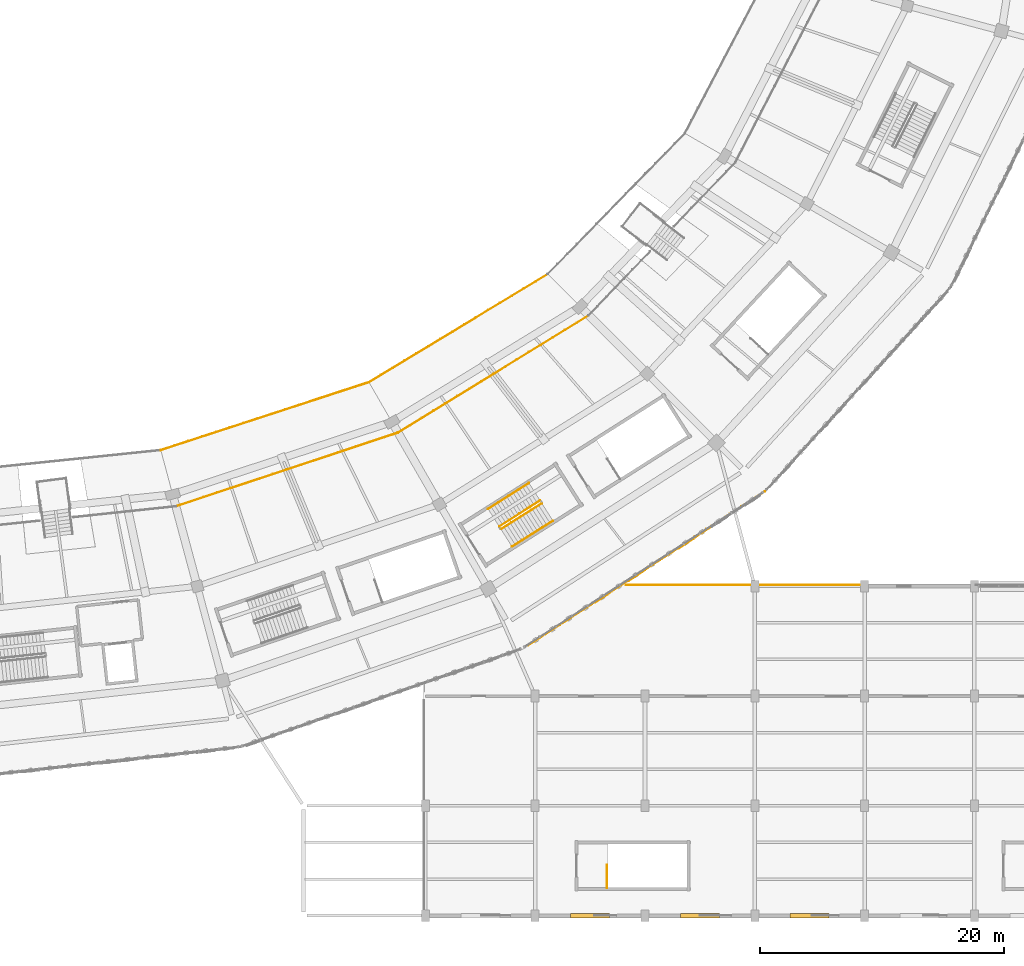
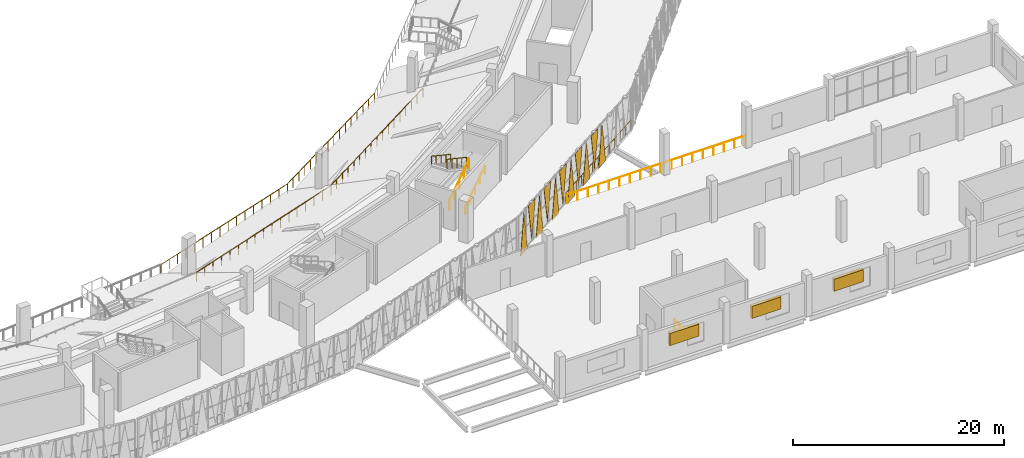
# One storey, part 128 of 152: 11 coverings, 11 railings, 3 shading devices.
"""IFC4 building model written with IfcOpenShell, lengths in metres."""

from ifc_helpers import new_model, si_unit, direction, frame, origin, origin_2d, place, context, subcontext, project, spatial, polyline, rectangle, circle, outline, extrude, material, layer, layer_set, type_object, element, save


model = new_model("IFC4")

# Units and contexts
model_context = context("Model", 3, precision=1e-05, world=origin(), true_north=direction((0.0, 1.0)))
body_context = subcontext(model_context, "Body", "Model", "MODEL_VIEW")
ifc_project = project(units=[si_unit("LENGTHUNIT", "METRE"), si_unit("AREAUNIT", "SQUARE_METRE"), si_unit("VOLUMEUNIT", "CUBIC_METRE"), si_unit("PLANEANGLEUNIT", "RADIAN"), si_unit("MASSUNIT", "GRAM", prefix="KILO")], contexts=[model_context])

# Site, building, storey
site_placement = place(None, origin())
site = spatial("IfcSite", under=ifc_project, at=site_placement, CompositionType="ELEMENT")
building_placement = place(site_placement, origin())
building = spatial("IfcBuilding", under=site, at=building_placement, Name="Zevraka Park Crest Stadium", CompositionType="ELEMENT")
storey_placement = place(building_placement, frame((0.0, 0.0, 15.0)))
storey = spatial("IfcBuildingStorey", under=building, at=storey_placement, Name="L03", CompositionType="ELEMENT", Elevation=15.0)

# Coverings
ifc_material_1 = material(Name="Architectural golden-bronze perforated aluminium", Category="aluminium")
ifc_layer_1 = layer(ifc_material_1, 0.034912109375)
ifc_layer_set_1 = layer_set([ifc_layer_1], Name="Architectural golden-bronze perforated aluminium")
covering_type = type_object("IfcCoveringType", Name="CLD01", PredefinedType="CLADDING", material=ifc_layer_set_1)
covering_1_placement = place(storey_placement, frame((160.445068359375, 22.139892578125, -0.260009765625), z_axis=(0.54371325202, -0.839271052215, 2.2174779e-05), x_axis=(0.839271052422, 0.543713252153, 0.0)))
element("IfcCovering", 1, at=covering_1_placement, inside=storey, type_object=covering_type, Name="Triangular Golden-Bronze Perforated Cladding L03-20-1", PredefinedType="CLADDING", context=body_context, shape_type="SweptSolid", body=[
    extrude(outline(polyline([(0.0, 0.0), (1.467861414015771, 1.6940658945086007e-21), (0.7339970782544862, 4.620117188635904), (0.0, 0.0)])), origin(), (0.0, 0.0, -1.0), 0.034912109375),
])
covering_2_placement = place(storey_placement, frame((163.04296875, 23.822021484375, 4.52001953125), z_axis=(0.543244377894, -0.839574618944, 7.1501841e-05), x_axis=(-0.83957462109, -0.543244379282, 0.0)))
element("IfcCovering", 2, at=covering_2_placement, inside=storey, type_object=covering_type, Name="Triangular Golden-Bronze Perforated Cladding L03-20-2", PredefinedType="CLADDING", context=body_context, shape_type="SweptSolid", body=[
    extrude(outline(polyline([(0.0, 0.0), (1.4673306729433993, 0.0), (0.7338642785051281, 4.30004883911703), (0.0, 0.0)])), origin(), (0.0, 0.0, -1.0), 0.034912109375),
])
covering_3_placement = place(storey_placement, frame((163.177001953125, 23.908935546875, -0.260009765625), z_axis=(0.54371325202, -0.839271052215, 2.2174779e-05), x_axis=(0.839271052422, 0.543713252153, 0.0)))
element("IfcCovering", 3, at=covering_3_placement, inside=storey, type_object=covering_type, Name="Triangular Golden-Bronze Perforated Cladding L03-20-3", PredefinedType="CLADDING", context=body_context, shape_type="SweptSolid", body=[
    extrude(outline(polyline([(0.0, 0.0), (1.467861414015771, 1.6940658945086007e-21), (0.7339970782544862, 4.620117188635904), (0.0, 0.0)])), origin(), (0.0, 0.0, -1.0), 0.034912109375),
])
covering_4_placement = place(storey_placement, frame((165.77490234375, 25.591064453125, 4.52001953125), z_axis=(0.543244375425, -0.839574615128, 0.000119169735), x_axis=(-0.83957462109, -0.543244379282, 0.0)))
element("IfcCovering", 4, at=covering_4_placement, inside=storey, type_object=covering_type, Name="Triangular Golden-Bronze Perforated Cladding L03-20-4", PredefinedType="CLADDING", context=body_context, shape_type="SweptSolid", body=[
    extrude(outline(polyline([(0.0, 0.0), (1.4673306729433993, 0.0), (0.7339969065274139, 4.300048858658413), (0.0, 0.0)])), origin(), (0.0, 0.0, -1.0), 0.034912109375),
])
covering_5_placement = place(storey_placement, frame((165.909912109375, 25.677978515625, -0.260009765625), z_axis=(-0.543941018688, 0.839123449754, 6.5286052e-05), x_axis=(0.839123451542, 0.543941019847, 0.0)))
element("IfcCovering", 5, at=covering_5_placement, inside=storey, type_object=covering_type, Name="Triangular Golden-Bronze Perforated Cladding L03-20-5", PredefinedType="CLADDING", context=body_context, shape_type="SweptSolid", body=[
    extrude(outline(polyline([(0.0, 0.0), (1.4672467675796603, -6.776263578034403e-21), (0.7338642809254232, -4.62011719734609), (0.0, 0.0)])), origin(), (0.0, 0.0, -1.0), 0.034912109375),
])
covering_6_placement = place(storey_placement, frame((168.508056640625, 27.360107421875, 4.52001953125), z_axis=(0.54363736266, -0.839320210873, 3.9259569e-05), x_axis=(-0.839320211519, -0.543637363078, 0.0)))
element("IfcCovering", 6, at=covering_6_placement, inside=storey, type_object=covering_type, Name="Triangular Golden-Bronze Perforated Cladding L03-20-6", PredefinedType="CLADDING", context=body_context, shape_type="SweptSolid", body=[
    extrude(outline(polyline([(0.0, 0.0), (1.4680663201763386, 3.3881317890172014e-21), (0.7339970659904593, 4.300048831438862), (0.0, 0.0)])), origin(), (0.0, 0.0, -1.0), 0.034912109375),
])
covering_7_placement = place(storey_placement, frame((168.64208984375, 27.447021484375, -0.260009765625), z_axis=(-0.54371325202, 0.839271052215, 2.2174779e-05), x_axis=(0.839271052422, 0.543713252153, 0.0)))
element("IfcCovering", 7, at=covering_7_placement, inside=storey, type_object=covering_type, Name="Triangular Golden-Bronze Perforated Cladding L03-20-7", PredefinedType="CLADDING", context=body_context, shape_type="SweptSolid", body=[
    extrude(outline(polyline([(0.0, 0.0), (1.467861414015771, 1.6940658945086007e-21), (0.7338643357612847, -4.620117188635904), (0.0, 0.0)])), origin(), (0.0, 0.0, -1.0), 0.034912109375),
])
covering_8_placement = place(storey_placement, frame((171.239990234375, 29.12890625, 4.52001953125), z_axis=(0.543596081623, -0.839346948552, 0.0), x_axis=(-0.839346948552, -0.543596081623, 0.0)))
element("IfcCovering", 8, at=covering_8_placement, inside=storey, type_object=covering_type, Name="Triangular Golden-Bronze Perforated Cladding L03-20-8", PredefinedType="CLADDING", context=body_context, shape_type="SweptSolid", body=[
    extrude(outline(polyline([(0.0, 0.0), (1.4677286858249659, 0.0), (0.7338643429124829, 4.300048828125), (0.0, 0.0)])), origin(), (0.0, 0.0, -1.0), 0.034912109375),
])
covering_9_placement = place(storey_placement, frame((171.3740234375, 29.216064453125, -0.260009765625), z_axis=(0.543596081623, -0.839346948552, 0.0), x_axis=(0.839346948552, 0.543596081623, 0.0)))
element("IfcCovering", 9, at=covering_9_placement, inside=storey, type_object=covering_type, Name="Triangular Golden-Bronze Perforated Cladding L03-20-9", PredefinedType="CLADDING", context=body_context, shape_type="SweptSolid", body=[
    extrude(outline(polyline([(0.0, 0.0), (1.4677286858249659, 0.0), (0.7338643429124829, 4.620117187499999), (0.0, 0.0)])), origin(), (0.0, 0.0, -1.0), 0.034912109375),
])
covering_10_placement = place(storey_placement, frame((173.971923828125, 30.89794921875, 4.52001953125), z_axis=(-0.543899793861, 0.839150171557, 6.1761176e-05), x_axis=(-0.839150173157, -0.543899794898, 0.0)))
element("IfcCovering", 10, at=covering_10_placement, inside=storey, type_object=covering_type, Name="Triangular Golden-Bronze Perforated Cladding L03-20-10", PredefinedType="CLADDING", context=body_context, shape_type="SweptSolid", body=[
    extrude(outline(polyline([(0.0, 0.0), (1.466909107125423, 0.0), (0.7338642948581983, -4.3000488363261455), (0.0, 0.0)])), origin(), (0.0, 0.0, -1.0), 0.034912109375),
])
covering_11_placement = place(storey_placement, frame((174.10693359375, 30.985107421875, -0.260009765625), z_axis=(0.543051202875, -0.839699577485, 0.000103092621), x_axis=(0.839699581947, 0.543051205761, 0.0)))
element("IfcCovering", 11, at=covering_11_placement, inside=storey, type_object=covering_type, Name="Triangular Golden-Bronze Perforated Cladding L03-20-11", PredefinedType="CLADDING", context=body_context, shape_type="SweptSolid", body=[
    extrude(outline(polyline([(0.0, 0.0), (1.4674030580295612, 0.0), (0.7338641883459691, 4.620117212051507), (0.0, 0.0)])), origin(), (0.0, 0.0, -1.0), 0.034912109375),
])

# Railings
ifc_material_2 = material(Name="Galvanised and bronze-finished steel balustrade", Category="steel")
railing_type_1 = type_object("IfcRailingType", Name="GR01", PredefinedType="GUARDRAIL", material=ifc_material_2)
railing_1_placement = place(storey_placement, frame((179.8359375, 34.778076171875, 0.0)))
element("IfcRailing", 12, at=railing_1_placement, inside=storey, type_object=railing_type_1, Name="Deck Edge Protection Guardrail GR01 L03-24", PredefinedType="GUARDRAIL", context=body_context, shape_type="SweptSolid", body=[
    extrude(circle(Radius=0.02392578125, at=origin_2d()), frame((0.0, 0.0, 1.076171875), z_axis=(-0.839416887497, -0.543488076213, 0.0), x_axis=(0.543488076213, -0.839416887497, 0.0)), (0.0, 0.0, 1.0), 13.678466796875),
    extrude(circle(Radius=0.02099609375, at=origin_2d()), origin(), (0.0, 0.0, 1.0), 1.052001953125),
    extrude(circle(Radius=0.02099609375, at=origin_2d()), frame((-0.956787109375, -0.61962890625, 0.0)), (0.0, 0.0, 1.0), 1.052001953125),
    extrude(circle(Radius=0.02099609375, at=origin_2d()), frame((-1.91357421875, -1.239013671875, 0.0)), (0.0, 0.0, 1.0), 1.052001953125),
    extrude(circle(Radius=0.02099609375, at=origin_2d()), frame((-2.87060546875, -1.8583984375, 0.0)), (0.0, 0.0, 1.0), 1.052001953125),
    extrude(circle(Radius=0.02099609375, at=origin_2d()), frame((-3.827392578125, -2.47802734375, 0.0)), (0.0, 0.0, 1.0), 1.052001953125),
    extrude(circle(Radius=0.02099609375, at=origin_2d()), frame((-4.7841796875, -3.09765625, 0.0)), (0.0, 0.0, 1.0), 1.052001953125),
    extrude(circle(Radius=0.02099609375, at=origin_2d()), frame((-5.740966796875, -3.717041015625, 0.0)), (0.0, 0.0, 1.0), 1.052001953125),
    extrude(circle(Radius=0.02099609375, at=origin_2d()), frame((-6.69775390625, -4.33642578125, 0.0)), (0.0, 0.0, 1.0), 1.052001953125),
    extrude(circle(Radius=0.02099609375, at=origin_2d()), frame((-7.654541015625, -4.9560546875, 0.0)), (0.0, 0.0, 1.0), 1.052001953125),
    extrude(circle(Radius=0.02099609375, at=origin_2d()), frame((-8.611328125, -5.57568359375, 0.0)), (0.0, 0.0, 1.0), 1.052001953125),
    extrude(circle(Radius=0.02099609375, at=origin_2d()), frame((-9.568359375, -6.195068359375, 0.0)), (0.0, 0.0, 1.0), 1.052001953125),
    extrude(circle(Radius=0.02099609375, at=origin_2d()), frame((-10.525146484375, -6.814453125, 0.0)), (0.0, 0.0, 1.0), 1.052001953125),
    extrude(circle(Radius=0.02099609375, at=origin_2d()), frame((-11.48193359375, -7.43408203125, 0.0)), (0.0, 0.0, 1.0), 1.052001953125),
])
railing_2_placement = place(storey_placement, frame((168.425048828125, 27.10498046875, 0.0)))
element("IfcRailing", 13, at=railing_2_placement, inside=storey, type_object=railing_type_1, Name="Deck Edge Protection Guardrail GR01 L03-25", PredefinedType="GUARDRAIL", context=body_context, shape_type="SweptSolid", body=[
    extrude(circle(Radius=0.02392578125, at=origin_2d()), frame((0.0, 0.0, 1.076171875), z_axis=(1.0, 0.0, 0.0), x_axis=(0.0, 1.0, 0.0)), (0.0, 0.0, 1.0), 19.458984375),
    extrude(circle(Radius=0.02099609375, at=origin_2d()), origin(), (0.0, 0.0, 1.0), 1.052001953125),
    extrude(circle(Radius=0.02099609375, at=origin_2d()), frame((1.14453125, 0.0, 0.0)), (0.0, 0.0, 1.0), 1.052001953125),
    extrude(circle(Radius=0.02099609375, at=origin_2d()), frame((2.289306640625, 0.0, 0.0)), (0.0, 0.0, 1.0), 1.052001953125),
    extrude(circle(Radius=0.02099609375, at=origin_2d()), frame((3.433837890625, 0.0, 0.0)), (0.0, 0.0, 1.0), 1.052001953125),
    extrude(circle(Radius=0.02099609375, at=origin_2d()), frame((4.57861328125, 0.0, 0.0)), (0.0, 0.0, 1.0), 1.052001953125),
    extrude(circle(Radius=0.02099609375, at=origin_2d()), frame((5.72314453125, 0.0, 0.0)), (0.0, 0.0, 1.0), 1.052001953125),
    extrude(circle(Radius=0.02099609375, at=origin_2d()), frame((6.867919921875, 0.0, 0.0)), (0.0, 0.0, 1.0), 1.052001953125),
    extrude(circle(Radius=0.02099609375, at=origin_2d()), frame((8.012451171875, 0.0, 0.0)), (0.0, 0.0, 1.0), 1.052001953125),
    extrude(circle(Radius=0.02099609375, at=origin_2d()), frame((9.1572265625, 0.0, 0.0)), (0.0, 0.0, 1.0), 1.052001953125),
    extrude(circle(Radius=0.02099609375, at=origin_2d()), frame((10.3017578125, 0.0, 0.0)), (0.0, 0.0, 1.0), 1.052001953125),
    extrude(circle(Radius=0.02099609375, at=origin_2d()), frame((11.446533203125, 0.0, 0.0)), (0.0, 0.0, 1.0), 1.052001953125),
    extrude(circle(Radius=0.02099609375, at=origin_2d()), frame((12.591064453125, 0.0, 0.0)), (0.0, 0.0, 1.0), 1.052001953125),
    extrude(circle(Radius=0.02099609375, at=origin_2d()), frame((13.73583984375, 0.0, 0.0)), (0.0, 0.0, 1.0), 1.052001953125),
    extrude(circle(Radius=0.02099609375, at=origin_2d()), frame((14.88037109375, 0.0, 0.0)), (0.0, 0.0, 1.0), 1.052001953125),
    extrude(circle(Radius=0.02099609375, at=origin_2d()), frame((16.025146484375, 0.0, 0.0)), (0.0, 0.0, 1.0), 1.052001953125),
    extrude(circle(Radius=0.02099609375, at=origin_2d()), frame((17.169677734375, 0.0, 0.0)), (0.0, 0.0, 1.0), 1.052001953125),
    extrude(circle(Radius=0.02099609375, at=origin_2d()), frame((18.314453125, 0.0, 0.0)), (0.0, 0.0, 1.0), 1.052001953125),
    extrude(circle(Radius=0.02099609375, at=origin_2d()), frame((19.458984375, 0.0, 0.0)), (0.0, 0.0, 1.0), 1.052001953125),
])
railing_3_placement = place(storey_placement, frame((131.5458984375, 33.54296875, 0.0)))
element("IfcRailing", 14, at=railing_3_placement, inside=storey, type_object=railing_type_1, Name="Deck Edge Protection Guardrail GR01 L03-57", PredefinedType="GUARDRAIL", context=body_context, shape_type="SweptSolid", body=[
    extrude(circle(Radius=0.02392578125, at=origin_2d()), frame((0.0, 0.0, 1.076171875), z_axis=(0.949110095164, 0.314944482818, 0.0), x_axis=(-0.314944482818, 0.949110095164, 0.0)), (0.0, 0.0, 1.0), 19.18115234375),
    extrude(circle(Radius=0.02099609375, at=origin_2d()), origin(), (0.0, 0.0, 1.0), 1.052001953125),
    extrude(circle(Radius=0.02099609375, at=origin_2d()), frame((1.1376953125, 0.37744140625, 0.0)), (0.0, 0.0, 1.0), 1.052001953125),
    extrude(circle(Radius=0.02099609375, at=origin_2d()), frame((2.275634765625, 0.755126953125, 0.0)), (0.0, 0.0, 1.0), 1.052001953125),
    extrude(circle(Radius=0.02099609375, at=origin_2d()), frame((3.41357421875, 1.1328125, 0.0)), (0.0, 0.0, 1.0), 1.052001953125),
    extrude(circle(Radius=0.02099609375, at=origin_2d()), frame((4.55126953125, 1.51025390625, 0.0)), (0.0, 0.0, 1.0), 1.052001953125),
    extrude(circle(Radius=0.02099609375, at=origin_2d()), frame((5.68896484375, 1.8876953125, 0.0)), (0.0, 0.0, 1.0), 1.052001953125),
    extrude(circle(Radius=0.02099609375, at=origin_2d()), frame((6.826904296875, 2.265380859375, 0.0)), (0.0, 0.0, 1.0), 1.052001953125),
    extrude(circle(Radius=0.02099609375, at=origin_2d()), frame((7.96484375, 2.64306640625, 0.0)), (0.0, 0.0, 1.0), 1.052001953125),
    extrude(circle(Radius=0.02099609375, at=origin_2d()), frame((9.1025390625, 3.0205078125, 0.0)), (0.0, 0.0, 1.0), 1.052001953125),
    extrude(circle(Radius=0.02099609375, at=origin_2d()), frame((10.240234375, 3.39794921875, 0.0)), (0.0, 0.0, 1.0), 1.052001953125),
    extrude(circle(Radius=0.02099609375, at=origin_2d()), frame((11.378173828125, 3.775634765625, 0.0)), (0.0, 0.0, 1.0), 1.052001953125),
    extrude(circle(Radius=0.02099609375, at=origin_2d()), frame((12.51611328125, 4.1533203125, 0.0)), (0.0, 0.0, 1.0), 1.052001953125),
    extrude(circle(Radius=0.02099609375, at=origin_2d()), frame((13.65380859375, 4.53076171875, 0.0)), (0.0, 0.0, 1.0), 1.052001953125),
    extrude(circle(Radius=0.02099609375, at=origin_2d()), frame((14.79150390625, 4.908203125, 0.0)), (0.0, 0.0, 1.0), 1.052001953125),
    extrude(circle(Radius=0.02099609375, at=origin_2d()), frame((15.929443359375, 5.285888671875, 0.0)), (0.0, 0.0, 1.0), 1.052001953125),
    extrude(circle(Radius=0.02099609375, at=origin_2d()), frame((17.0673828125, 5.66357421875, 0.0)), (0.0, 0.0, 1.0), 1.052001953125),
    extrude(circle(Radius=0.02099609375, at=origin_2d()), frame((18.205078125, 6.041015625, 0.0)), (0.0, 0.0, 1.0), 1.052001953125),
])
railing_4_placement = place(storey_placement, frame((149.7509765625, 39.583984375, 0.0)))
element("IfcRailing", 15, at=railing_4_placement, inside=storey, type_object=railing_type_1, Name="Deck Edge Protection Guardrail GR01 L03-58", PredefinedType="GUARDRAIL", context=body_context, shape_type="SweptSolid", body=[
    extrude(circle(Radius=0.02392578125, at=origin_2d()), frame((0.0, 0.0, 1.076171875), z_axis=(0.851918067459, 0.523675096159, 0.0), x_axis=(-0.523675096159, 0.851918067459, 0.0)), (0.0, 0.0, 1.0), 18.35498046875),
    extrude(circle(Radius=0.02099609375, at=origin_2d()), origin(), (0.0, 0.0, 1.0), 1.052001953125),
    extrude(circle(Radius=0.02099609375, at=origin_2d()), frame((0.977294921875, 0.600830078125, 0.0)), (0.0, 0.0, 1.0), 1.052001953125),
    extrude(circle(Radius=0.02099609375, at=origin_2d()), frame((1.95458984375, 1.201416015625, 0.0)), (0.0, 0.0, 1.0), 1.052001953125),
    extrude(circle(Radius=0.02099609375, at=origin_2d()), frame((2.931884765625, 1.80224609375, 0.0)), (0.0, 0.0, 1.0), 1.052001953125),
    extrude(circle(Radius=0.02099609375, at=origin_2d()), frame((3.9091796875, 2.403076171875, 0.0)), (0.0, 0.0, 1.0), 1.052001953125),
    extrude(circle(Radius=0.02099609375, at=origin_2d()), frame((4.886474609375, 3.003662109375, 0.0)), (0.0, 0.0, 1.0), 1.052001953125),
    extrude(circle(Radius=0.02099609375, at=origin_2d()), frame((5.86376953125, 3.6044921875, 0.0)), (0.0, 0.0, 1.0), 1.052001953125),
    extrude(circle(Radius=0.02099609375, at=origin_2d()), frame((6.841064453125, 4.205322265625, 0.0)), (0.0, 0.0, 1.0), 1.052001953125),
    extrude(circle(Radius=0.02099609375, at=origin_2d()), frame((7.818359375, 4.80615234375, 0.0)), (0.0, 0.0, 1.0), 1.052001953125),
    extrude(circle(Radius=0.02099609375, at=origin_2d()), frame((8.7958984375, 5.40673828125, 0.0)), (0.0, 0.0, 1.0), 1.052001953125),
    extrude(circle(Radius=0.02099609375, at=origin_2d()), frame((9.773193359375, 6.007568359375, 0.0)), (0.0, 0.0, 1.0), 1.052001953125),
    extrude(circle(Radius=0.02099609375, at=origin_2d()), frame((10.75048828125, 6.6083984375, 0.0)), (0.0, 0.0, 1.0), 1.052001953125),
    extrude(circle(Radius=0.02099609375, at=origin_2d()), frame((11.727783203125, 7.208984375, 0.0)), (0.0, 0.0, 1.0), 1.052001953125),
    extrude(circle(Radius=0.02099609375, at=origin_2d()), frame((12.705078125, 7.809814453125, 0.0)), (0.0, 0.0, 1.0), 1.052001953125),
    extrude(circle(Radius=0.02099609375, at=origin_2d()), frame((13.682373046875, 8.41064453125, 0.0)), (0.0, 0.0, 1.0), 1.052001953125),
    extrude(circle(Radius=0.02099609375, at=origin_2d()), frame((14.65966796875, 9.01123046875, 0.0)), (0.0, 0.0, 1.0), 1.052001953125),
    extrude(circle(Radius=0.02099609375, at=origin_2d()), frame((15.636962890625, 9.612060546875, 0.0)), (0.0, 0.0, 1.0), 1.052001953125),
])
ifc_material_3 = material(Name="Laminated glass and stainless steel sightline bowl guard", Category="steel")
railing_type_2 = type_object("IfcRailingType", Name="GR02", PredefinedType="GUARDRAIL", material=ifc_material_3)
railing_5_placement = place(storey_placement, frame((130.31103515625, 38.14990234375, -1.5)))
element("IfcRailing", 16, at=railing_5_placement, inside=storey, type_object=railing_type_2, Name="Upper Tier Cantilever Sightline Guard GR02 19", PredefinedType="GUARDRAIL", context=body_context, shape_type="SweptSolid", body=[
    extrude(circle(Radius=0.02392578125, at=origin_2d()), frame((0.0, 0.0, 1.09619140625), z_axis=(0.950651722205, 0.310260057161, 0.0), x_axis=(-0.310260057161, 0.950651722205, 0.0)), (0.0, 0.0, 1.0), 17.94970703125),
    extrude(circle(Radius=0.02099609375, at=origin_2d()), origin(), (0.0, 0.0, 1.0), 1.072021484375),
    extrude(circle(Radius=0.02099609375, at=origin_2d()), frame((1.1376953125, 0.371337890625, 0.0)), (0.0, 0.0, 1.0), 1.072021484375),
    extrude(circle(Radius=0.02099609375, at=origin_2d()), frame((2.275146484375, 0.742431640625, 0.0)), (0.0, 0.0, 1.0), 1.072021484375),
    extrude(circle(Radius=0.02099609375, at=origin_2d()), frame((3.412841796875, 1.11376953125, 0.0)), (0.0, 0.0, 1.0), 1.072021484375),
    extrude(circle(Radius=0.02099609375, at=origin_2d()), frame((4.55029296875, 1.485107421875, 0.0)), (0.0, 0.0, 1.0), 1.072021484375),
    extrude(circle(Radius=0.02099609375, at=origin_2d()), frame((5.68798828125, 1.8564453125, 0.0)), (0.0, 0.0, 1.0), 1.072021484375),
    extrude(circle(Radius=0.02099609375, at=origin_2d()), frame((6.82568359375, 2.2275390625, 0.0)), (0.0, 0.0, 1.0), 1.072021484375),
    extrude(circle(Radius=0.02099609375, at=origin_2d()), frame((7.963134765625, 2.598876953125, 0.0)), (0.0, 0.0, 1.0), 1.072021484375),
    extrude(circle(Radius=0.02099609375, at=origin_2d()), frame((9.100830078125, 2.97021484375, 0.0)), (0.0, 0.0, 1.0), 1.072021484375),
    extrude(circle(Radius=0.02099609375, at=origin_2d()), frame((10.23828125, 3.341552734375, 0.0)), (0.0, 0.0, 1.0), 1.072021484375),
    extrude(circle(Radius=0.02099609375, at=origin_2d()), frame((11.3759765625, 3.712646484375, 0.0)), (0.0, 0.0, 1.0), 1.072021484375),
    extrude(circle(Radius=0.02099609375, at=origin_2d()), frame((12.513671875, 4.083984375, 0.0)), (0.0, 0.0, 1.0), 1.072021484375),
    extrude(circle(Radius=0.02099609375, at=origin_2d()), frame((13.651123046875, 4.455322265625, 0.0)), (0.0, 0.0, 1.0), 1.072021484375),
    extrude(circle(Radius=0.02099609375, at=origin_2d()), frame((14.788818359375, 4.82666015625, 0.0)), (0.0, 0.0, 1.0), 1.072021484375),
    extrude(circle(Radius=0.02099609375, at=origin_2d()), frame((15.92626953125, 5.19775390625, 0.0)), (0.0, 0.0, 1.0), 1.072021484375),
    extrude(circle(Radius=0.02099609375, at=origin_2d()), frame((17.06396484375, 5.569091796875, 0.0)), (0.0, 0.0, 1.0), 1.072021484375),
])
railing_6_placement = place(storey_placement, frame((147.375, 43.718994140625, -1.5)))
element("IfcRailing", 17, at=railing_6_placement, inside=storey, type_object=railing_type_2, Name="Upper Tier Cantilever Sightline Guard GR02 20", PredefinedType="GUARDRAIL", context=body_context, shape_type="SweptSolid", body=[
    extrude(circle(Radius=0.02392578125, at=origin_2d()), frame((0.0, 0.0, 1.09619140625), z_axis=(0.855729194153, 0.517423952165, 0.0), x_axis=(-0.517423952165, 0.855729194153, 0.0)), (0.0, 0.0, 1.0), 17.12353515625),
    extrude(circle(Radius=0.02099609375, at=origin_2d()), origin(), (0.0, 0.0, 1.0), 1.072021484375),
    extrude(circle(Radius=0.02099609375, at=origin_2d()), frame((0.976806640625, 0.590576171875, 0.0)), (0.0, 0.0, 1.0), 1.072021484375),
    extrude(circle(Radius=0.02099609375, at=origin_2d()), frame((1.953857421875, 1.181396484375, 0.0)), (0.0, 0.0, 1.0), 1.072021484375),
    extrude(circle(Radius=0.02099609375, at=origin_2d()), frame((2.9306640625, 1.77197265625, 0.0)), (0.0, 0.0, 1.0), 1.072021484375),
    extrude(circle(Radius=0.02099609375, at=origin_2d()), frame((3.907470703125, 2.36279296875, 0.0)), (0.0, 0.0, 1.0), 1.072021484375),
    extrude(circle(Radius=0.02099609375, at=origin_2d()), frame((4.88427734375, 2.953369140625, 0.0)), (0.0, 0.0, 1.0), 1.072021484375),
    extrude(circle(Radius=0.02099609375, at=origin_2d()), frame((5.861328125, 3.5439453125, 0.0)), (0.0, 0.0, 1.0), 1.072021484375),
    extrude(circle(Radius=0.02099609375, at=origin_2d()), frame((6.838134765625, 4.134765625, 0.0)), (0.0, 0.0, 1.0), 1.072021484375),
    extrude(circle(Radius=0.02099609375, at=origin_2d()), frame((7.81494140625, 4.725341796875, 0.0)), (0.0, 0.0, 1.0), 1.072021484375),
    extrude(circle(Radius=0.02099609375, at=origin_2d()), frame((8.791748046875, 5.316162109375, 0.0)), (0.0, 0.0, 1.0), 1.072021484375),
    extrude(circle(Radius=0.02099609375, at=origin_2d()), frame((9.768798828125, 5.90673828125, 0.0)), (0.0, 0.0, 1.0), 1.072021484375),
    extrude(circle(Radius=0.02099609375, at=origin_2d()), frame((10.74560546875, 6.497314453125, 0.0)), (0.0, 0.0, 1.0), 1.072021484375),
    extrude(circle(Radius=0.02099609375, at=origin_2d()), frame((11.722412109375, 7.088134765625, 0.0)), (0.0, 0.0, 1.0), 1.072021484375),
    extrude(circle(Radius=0.02099609375, at=origin_2d()), frame((12.69921875, 7.6787109375, 0.0)), (0.0, 0.0, 1.0), 1.072021484375),
    extrude(circle(Radius=0.02099609375, at=origin_2d()), frame((13.67626953125, 8.26953125, 0.0)), (0.0, 0.0, 1.0), 1.072021484375),
    extrude(circle(Radius=0.02099609375, at=origin_2d()), frame((14.653076171875, 8.860107421875, 0.0)), (0.0, 0.0, 1.0), 1.072021484375),
])
ifc_material_4 = material(Name="Powder-coated tubular steel stairwell guard", Category="steel")
railing_type_3 = type_object("IfcRailingType", Name="GR03", PredefinedType="GUARDRAIL", material=ifc_material_4)
railing_7_placement = place(storey_placement, frame((158.194580078125, 31.675048828125, 0.17138671875)))
element("IfcRailing", 18, at=railing_7_placement, inside=storey, type_object=railing_type_3, Name="L03 ST21 stair guard 1", PredefinedType="GUARDRAIL", context=body_context, shape_type="SweptSolid", body=[
    extrude(circle(Radius=0.02392578125, at=origin_2d()), frame((0.0, 0.0, 1.076171875), z_axis=(0.736092217986, 0.467002282249, 0.489976647398), x_axis=(-0.535715535947, 0.844398522349, 0.0)), (0.0, 0.0, 1.0), 4.548095703125),
    extrude(circle(Radius=0.02099609375, at=origin_2d()), origin(), (0.0, 0.0, 1.0), 1.052001953125),
    extrude(circle(Radius=0.02099609375, at=origin_2d()), frame((0.8369140625, 0.531005859375, 0.55712890625)), (0.0, 0.0, 1.0), 1.052001953125),
    extrude(circle(Radius=0.02099609375, at=origin_2d()), frame((1.673828125, 1.06201171875, 1.1142578125)), (0.0, 0.0, 1.0), 1.052001953125),
    extrude(circle(Radius=0.02099609375, at=origin_2d()), frame((2.510986328125, 1.593017578125, 1.67138671875)), (0.0, 0.0, 1.0), 1.052001953125),
    extrude(circle(Radius=0.02099609375, at=origin_2d()), frame((3.347900390625, 2.1240234375, 2.228515625)), (0.0, 0.0, 1.0), 1.052001953125),
])
railing_8_placement = place(storey_placement, frame((161.4033203125, 34.0185546875, 2.571533203125)))
element("IfcRailing", 19, at=railing_8_placement, inside=storey, type_object=railing_type_3, Name="L03 ST21 stair guard 3", PredefinedType="GUARDRAIL", context=body_context, shape_type="SweptSolid", body=[
    extrude(circle(Radius=0.02392578125, at=origin_2d()), frame((0.0, 0.0, 1.076171875), z_axis=(-0.736116810277, -0.466983830349, 0.48995728775), x_axis=(0.535687682518, -0.84441619288, 0.0)), (0.0, 0.0, 1.0), 4.54833984375),
    extrude(circle(Radius=0.02099609375, at=origin_2d()), origin(), (0.0, 0.0, 1.0), 1.052001953125),
    extrude(circle(Radius=0.02099609375, at=origin_2d()), frame((-0.8369140625, -0.531005859375, 0.55712890625)), (0.0, 0.0, 1.0), 1.052001953125),
    extrude(circle(Radius=0.02099609375, at=origin_2d()), frame((-1.674072265625, -1.06201171875, 1.1142578125)), (0.0, 0.0, 1.0), 1.052001953125),
    extrude(circle(Radius=0.02099609375, at=origin_2d()), frame((-2.51123046875, -1.593017578125, 1.67138671875)), (0.0, 0.0, 1.0), 1.052001953125),
    extrude(circle(Radius=0.02099609375, at=origin_2d()), frame((-3.34814453125, -2.1240234375, 2.228515625)), (0.0, 0.0, 1.0), 1.052001953125),
])
railing_9_placement = place(storey_placement, frame((166.89990234375, 2.25, 0.0)))
element("IfcRailing", 20, at=railing_9_placement, inside=storey, type_object=railing_type_3, Name="L03 ST53 top well guard 1", PredefinedType="GUARDRAIL", context=body_context, shape_type="SweptSolid", body=[
    extrude(circle(Radius=0.02392578125, at=origin_2d()), frame((0.0, 0.0, 1.076171875), z_axis=(0.0, 1.0, 0.0), x_axis=(-1.0, 0.0, 0.0)), (0.0, 0.0, 1.0), 1.909912109375),
    extrude(circle(Radius=0.02099609375, at=origin_2d()), origin(), (0.0, 0.0, 1.0), 1.052001953125),
    extrude(circle(Radius=0.02099609375, at=origin_2d()), frame((0.0, 0.955078125, 0.0)), (0.0, 0.0, 1.0), 1.052001953125),
    extrude(circle(Radius=0.02099609375, at=origin_2d()), frame((0.0, 1.909912109375, 0.0)), (0.0, 0.0, 1.0), 1.052001953125),
])
ifc_material_5 = material(Name="Brushed stainless steel continuous handrail", Category="steel")
railing_type_4 = type_object("IfcRailingType", Name="HR01", PredefinedType="HANDRAIL", material=ifc_material_5)
railing_10_placement = place(storey_placement, frame((159.105224609375, 30.239501953125, 0.17138671875)))
element("IfcRailing", 21, at=railing_10_placement, inside=storey, type_object=railing_type_4, Name="L03 ST21 stair handrail 1", PredefinedType="HANDRAIL", context=body_context, shape_type="SweptSolid", body=[
    extrude(circle(Radius=0.02392578125, at=origin_2d()), frame((0.0, 0.0, 0.8759765625), z_axis=(0.736092217986, 0.467002282249, 0.489976647398), x_axis=(-0.535715535947, 0.844398522349, 0.0)), (0.0, 0.0, 1.0), 4.548095703125),
    extrude(circle(Radius=0.02099609375, at=origin_2d()), origin(), (0.0, 0.0, 1.0), 0.851806640625),
    extrude(circle(Radius=0.02099609375, at=origin_2d()), frame((0.8369140625, 0.531005859375, 0.55712890625)), (0.0, 0.0, 1.0), 0.851806640625),
    extrude(circle(Radius=0.02099609375, at=origin_2d()), frame((1.673828125, 1.06201171875, 1.1142578125)), (0.0, 0.0, 1.0), 0.851806640625),
    extrude(circle(Radius=0.02099609375, at=origin_2d()), frame((2.510986328125, 1.593017578125, 1.67138671875)), (0.0, 0.0, 1.0), 0.851806640625),
    extrude(circle(Radius=0.02099609375, at=origin_2d()), frame((3.347900390625, 2.1240234375, 2.228515625)), (0.0, 0.0, 1.0), 0.851806640625),
])
railing_11_placement = place(storey_placement, frame((160.492431640625, 35.4541015625, 2.571533203125)))
element("IfcRailing", 22, at=railing_11_placement, inside=storey, type_object=railing_type_4, Name="L03 ST21 stair handrail 2", PredefinedType="HANDRAIL", context=body_context, shape_type="SweptSolid", body=[
    extrude(circle(Radius=0.02392578125, at=origin_2d()), frame((0.0, 0.0, 0.8759765625), z_axis=(-0.736092217986, -0.467002282249, 0.489976647398), x_axis=(0.535715535947, -0.844398522349, 0.0)), (0.0, 0.0, 1.0), 4.548095703125),
    extrude(circle(Radius=0.02099609375, at=origin_2d()), origin(), (0.0, 0.0, 1.0), 0.851806640625),
    extrude(circle(Radius=0.02099609375, at=origin_2d()), frame((-0.8369140625, -0.531005859375, 0.55712890625)), (0.0, 0.0, 1.0), 0.851806640625),
    extrude(circle(Radius=0.02099609375, at=origin_2d()), frame((-1.673828125, -1.06201171875, 1.1142578125)), (0.0, 0.0, 1.0), 0.851806640625),
    extrude(circle(Radius=0.02099609375, at=origin_2d()), frame((-2.510986328125, -1.593017578125, 1.67138671875)), (0.0, 0.0, 1.0), 0.851806640625),
    extrude(circle(Radius=0.02099609375, at=origin_2d()), frame((-3.347900390625, -2.1240234375, 2.228515625)), (0.0, 0.0, 1.0), 0.851806640625),
])

# Shading devices
ifc_material_6 = material(Name="Terracotta and bronze acoustic ventilation louvre", Category="masonry")
ifc_layer_2 = layer(ifc_material_6, 0.080078125)
ifc_layer_set_2 = layer_set([ifc_layer_2], Name="Terracotta and bronze acoustic ventilation louvre")
shading_device_type = type_object("IfcShadingDeviceType", Name="LVR01", PredefinedType="USERDEFINED", material=ifc_layer_set_2)
for number, where, z_axis, x_axis, name in (
    (23, (183.5, 0.0, 1.699951171875), (0.0, 0.0, 1.0), (-1.0, 0.0, 0.0), "Plant Ventilation Louvre LVR01 L03-4"),
    (24, (174.5, 0.0, 1.699951171875), (0.0, 0.0, 1.0), (-1.0, 0.0, 0.0), "Plant Ventilation Louvre LVR01 L03-5"),
    (25, (165.5, 0.0, 1.699951171875), (0.0, 0.0, 1.0), (-1.0, 0.0, 0.0), "Plant Ventilation Louvre LVR01 L03-6"),
):
    element("IfcShadingDevice", number, at=place(storey_placement, frame(where, z_axis=z_axis, x_axis=x_axis)), inside=storey, type_object=shading_device_type, Name=name, ObjectType="LOUVRE", PredefinedType="USERDEFINED", context=body_context, shape_type="SweptSolid", body=[
        extrude(rectangle(XDim=3.199951171875, YDim=0.360107421875, at=origin_2d()), origin(), (0.0, 0.0, 1.0), 1.39990234375),
    ])

save(model, "model.ifc")
